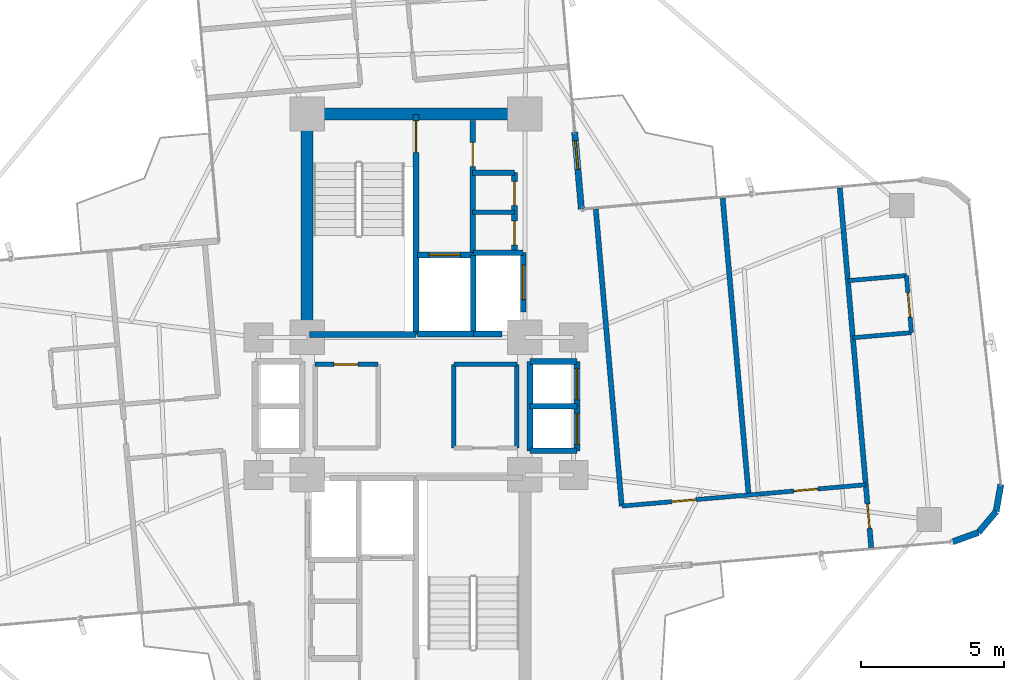
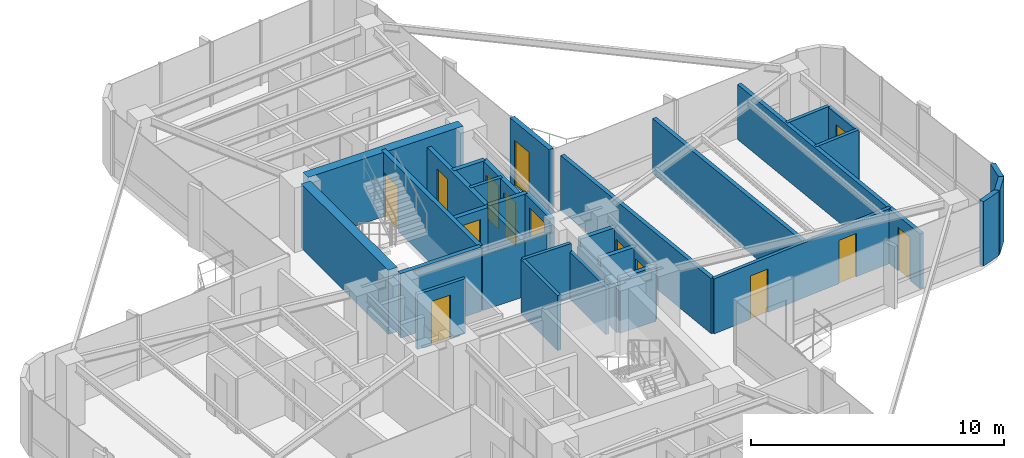
# One storey, part 22 of 24: 35 walls, 14 doors, 14 openings.
"""IFC4 building model written with IfcOpenShell, lengths in metres."""

from ifc_helpers import new_model, si_unit, direction, frame, frame_2d, origin, origin_2d, place, context, subcontext, project, spatial, rectangle, extrude, source, transform, mapped, material, layer, layer_set, type_object, element, fill, save


model = new_model("IFC4")

# Units and contexts
model_context = context("Model", 3, precision=1e-05, world=origin(), true_north=direction((0.0, 1.0)))
body_context = subcontext(model_context, "Body", "Model", "MODEL_VIEW")
ifc_project = project(units=[si_unit("LENGTHUNIT", "METRE"), si_unit("AREAUNIT", "SQUARE_METRE"), si_unit("VOLUMEUNIT", "CUBIC_METRE"), si_unit("PLANEANGLEUNIT", "RADIAN"), si_unit("MASSUNIT", "GRAM", prefix="KILO")], contexts=[model_context])

# Site, building, storey
site_placement = place(None, origin())
site = spatial("IfcSite", under=ifc_project, at=site_placement, CompositionType="ELEMENT")
building_placement = place(site_placement, origin())
building = spatial("IfcBuilding", under=site, at=building_placement, Name="Sahyath Konkavel Grand Hotel", CompositionType="ELEMENT")
storey_placement = place(building_placement, frame((0.0, 0.0, 181.89990234375)))
storey = spatial("IfcBuildingStorey", under=building, at=storey_placement, Name="L50", CompositionType="ELEMENT", Elevation=181.89990234375)

# Walls
ifc_material_1 = material(Name="Concrete C50/60", Category="concrete")
ifc_layer_1 = layer(ifc_material_1, 0.419921875)
ifc_layer_set_1 = layer_set([ifc_layer_1], Name="Concrete C50/60")
wall_type_1 = type_object("IfcWallType", Name="CWALL-420", PredefinedType="SHEAR", material=ifc_layer_set_1)
wall_1_placement = place(storey_placement, frame((-3.550048828125, 10.199951171875, 0.0), z_axis=(0.0, 0.0, 1.0), x_axis=(1.0, 0.0, 0.0)))
element("IfcWall", 1, at=wall_1_placement, inside=storey, type_object=wall_type_1, Name="L50 North Core Shear Wall N", PredefinedType="SHEAR", context=body_context, shape_type="SweptSolid", body=[
    extrude(rectangle(XDim=7.10009765625, YDim=0.419921875, at=frame_2d((3.550048828125, 0.0))), origin(), (0.0, 0.0, 1.0), 3.110107421875),
])
wall_2_placement = place(storey_placement, frame((-3.800048828125, 2.85009765625, 0.0), z_axis=(0.0, 0.0, 1.0), x_axis=(0.0, 1.0, 0.0)))
element("IfcWall", 2, at=wall_2_placement, inside=storey, type_object=wall_type_1, Name="L50 North Core Shear Wall W", PredefinedType="SHEAR", context=body_context, shape_type="SweptSolid", body=[
    extrude(rectangle(XDim=6.89990234375, YDim=0.419921875, at=frame_2d((3.449951171875, 0.0))), origin(), (0.0, 0.0, 1.0), 3.110107421875),
])
ifc_material_2 = material(Name="Warm Buff Sandstone Insulated Concrete C40/50", Category="masonry")
ifc_layer_2 = layer(ifc_material_2, 0.219970703125)
ifc_layer_set_2 = layer_set([ifc_layer_2], Name="Warm Buff Sandstone Insulated Concrete C40/50")
wall_type_2 = type_object("IfcWallType", Name="WLL-BALC-THRESH", PredefinedType="STANDARD", material=ifc_layer_set_2)
wall_3_placement = place(storey_placement, frame((18.73388671875, -4.735107421875, 0.0), z_axis=(0.0, 0.0, 1.0), x_axis=(0.939741306239, 0.34188635151, 0.0)))
element("IfcWall", 3, at=wall_3_placement, inside=storey, type_object=wall_type_2, Name="L50 Rounded Corner Sandstone Pier 1", PredefinedType="STANDARD", context=body_context, shape_type="SweptSolid", body=[
    extrude(rectangle(XDim=0.95751953125, YDim=0.219970703125, at=frame_2d((0.478759765625, 0.0))), origin(), (0.0, 0.0, 1.0), 3.110107421875),
])
for number, where, z_axis, x_axis, name in (
    (4, (19.6337890625, -4.40771484375, 0.0), (0.0, 0.0, 1.0), (0.642863236823, 0.765980978054, 0.0), "L50 Rounded Corner Sandstone Pier 2"),
    (5, (20.24951171875, -3.674072265625, 0.0), (0.0, 0.0, 1.0), (0.173610811841, 0.984814340885, 0.0), "L50 Rounded Corner Sandstone Pier 3"),
):
    element("IfcWall", number, at=place(storey_placement, frame(where, z_axis=z_axis, x_axis=x_axis)), inside=storey, type_object=wall_type_2, Name=name, PredefinedType="STANDARD", context=body_context, shape_type="SweptSolid", body=[
        extrude(rectangle(XDim=0.957763671875, YDim=0.219970703125, at=frame_2d((0.47900390625, 0.0))), origin(), (0.0, 0.0, 1.0), 3.110107421875),
    ])

# Wall, opening, door
wall_4_placement = place(storey_placement, frame((5.7724609375, 6.87939453125, 0.0), z_axis=(0.0, 0.0, 1.0), x_axis=(-0.087168071984, 0.996193619346, 0.0)))
wall_4 = element("IfcWall", 6, at=wall_4_placement, inside=storey, type_object=wall_type_2, Name="L50 Winter-Garden Threshold Wall 8", PredefinedType="STANDARD", context=body_context, shape_type="SweptSolid", body=[
    extrude(rectangle(XDim=2.699951171875, YDim=0.219970703125, at=frame_2d((1.35009765625, 0.0))), origin(), (0.0, 0.0, 1.0), 3.110107421875),
])
opening_1_placement = place(wall_4_placement, frame((1.39990234375, 0.0, 0.0)))
opening_1 = element("IfcOpeningElement", 7, at=opening_1_placement, cuts=wall_4, Name="Opening D-TR1", PredefinedType="OPENING", context=body_context, shape_type="SweptSolid", body=[
    extrude(rectangle(XDim=1.0, YDim=2.199951171875, at=frame_2d((0.5, 1.10009765625))), frame((0.0, 0.1201171875, 0.0), z_axis=(0.0, -1.0, 0.0), x_axis=(1.0, 0.0, 0.0)), (0.0, 0.0, 1.0), 0.239990234375),
])
ifc_material_3 = material(Name="Anodised Bronze Aluminium & Low-E Glazing", Category="aluminium")
door_type_1 = type_object("IfcDoorType", Name="DR-TERRACE-1000", OperationType="NOTDEFINED", PredefinedType="DOOR", material=ifc_material_3)
shared_shape_1 = source(origin(), body_context, "Body", "SweptSolid", [
    extrude(rectangle(XDim=1.0, YDim=0.050048828125, at=origin_2d()), origin(), (0.0, 0.0, 1.0), 2.199951171875),
])
door_1_placement = place(opening_1_placement, frame((0.5, 0.0, 0.0)))
door_1 = element("IfcDoor", 8, at=door_1_placement, inside=storey, type_object=door_type_1, Name="L50 Winter-Garden Terrace Door 8", OperationType="SINGLE_SWING_LEFT", OverallHeight=2.199951171875, OverallWidth=1.0, PredefinedType="DOOR", context=body_context, shape_type="MappedRepresentation", body=[
    mapped(shared_shape_1, transform((0.0, 0.0, 0.0), scale=1.0)),
])
fill(opening_1, door_1)

ifc_material_4 = material(Name="Concrete C40/50", Category="concrete")
ifc_layer_3 = layer(ifc_material_4, 0.199951171875)
ifc_layer_set_3 = layer_set([ifc_layer_3], Name="Concrete C40/50")
wall_type_3 = type_object("IfcWallType", Name="WLL-CORE-200", PredefinedType="SOLIDWALL", material=ifc_layer_set_3)
wall_5_placement = place(storey_placement, frame((0.0, 2.5, 0.0), z_axis=(0.0, 0.0, 1.0), x_axis=(0.0, 1.0, 0.0)))
wall_5 = element("IfcWall", 9, at=wall_5_placement, inside=storey, type_object=wall_type_3, Name="L50 Stair ST-1 Shaft Wall E", PredefinedType="SOLIDWALL", context=body_context, shape_type="SweptSolid", body=[
    extrude(rectangle(XDim=7.679931640625, YDim=0.199951171875, at=frame_2d((3.83984375, 0.0))), origin(), (0.0, 0.0, 1.0), 3.110107421875),
])
opening_2_placement = place(wall_5_placement, frame((6.360107421875, 0.0, 0.0)))
opening_2 = element("IfcOpeningElement", 10, at=opening_2_placement, cuts=wall_5, Name="Opening D-F12B", PredefinedType="OPENING", context=body_context, shape_type="SweptSolid", body=[
    extrude(rectangle(XDim=1.10009765625, YDim=2.14990234375, at=frame_2d((0.550048828125, 1.074951171875))), frame((0.0, 0.10986328125, 0.0), z_axis=(0.0, -1.0, 0.0), x_axis=(1.0, 0.0, 0.0)), (0.0, 0.0, 1.0), 0.219970703125),
])
ifc_material_5 = material(Name="Steel E350 Smokeproof Fire Door", Category="steel")
door_type_2 = type_object("IfcDoorType", Name="DR-FD120-1100", OperationType="NOTDEFINED", PredefinedType="DOOR", material=ifc_material_5)
shared_shape_2 = source(origin(), body_context, "Body", "SweptSolid", [
    extrude(rectangle(XDim=1.10009765625, YDim=0.050048828125, at=origin_2d()), origin(), (0.0, 0.0, 1.0), 2.14990234375),
])
door_2_placement = place(opening_2_placement, frame((0.550048828125, 0.0, 0.0)))
door_2 = element("IfcDoor", 11, at=door_2_placement, inside=storey, type_object=door_type_2, Name="L50 Stair ST-1 Fire Door", OperationType="SINGLE_SWING_RIGHT", OverallHeight=2.14990234375, OverallWidth=1.10009765625, PredefinedType="DOOR", context=body_context, shape_type="MappedRepresentation", body=[
    mapped(shared_shape_2, transform((0.0, 0.0, 0.0), scale=1.0)),
])
fill(opening_2, door_2)

# Wall
wall_6_placement = place(storey_placement, frame((-3.719970703125, 2.5, 0.0), z_axis=(0.0, 0.0, 1.0), x_axis=(1.0, 0.0, 0.0)))
element("IfcWall", 12, at=wall_6_placement, inside=storey, type_object=wall_type_3, Name="L50 Stair ST-1 Shaft Wall S", PredefinedType="SOLIDWALL", context=body_context, shape_type="SweptSolid", body=[
    extrude(rectangle(XDim=3.719970703125, YDim=0.199951171875, at=frame_2d((1.85986328125, 0.0))), origin(), (0.0, 0.0, 1.0), 3.110107421875),
])

# Wall, opening, door
wall_7_placement = place(storey_placement, frame((1.97998046875, 5.320068359375, 0.0), z_axis=(0.0, 0.0, 1.0), x_axis=(0.0, 1.0, 0.0)))
wall_7 = element("IfcWall", 13, at=wall_7_placement, inside=storey, type_object=wall_type_3, Name="L50 North Firefighting Lobby Wall E", PredefinedType="SOLIDWALL", context=body_context, shape_type="SweptSolid", body=[
    extrude(rectangle(XDim=4.659912109375, YDim=0.199951171875, at=frame_2d((2.330078125, 0.0))), origin(), (0.0, 0.0, 1.0), 2.66015625),
])
opening_3_placement = place(wall_7_placement, frame((3.0400390625, 0.0, 0.0)))
opening_3 = element("IfcOpeningElement", 14, at=opening_3_placement, cuts=wall_7, Name="Opening D-F12D", PredefinedType="OPENING", context=body_context, shape_type="SweptSolid", body=[
    extrude(rectangle(XDim=0.85009765625, YDim=2.10009765625, at=frame_2d((0.425048828125, 1.050048828125))), frame((0.0, 0.10986328125, 0.0), z_axis=(0.0, -1.0, 0.0), x_axis=(1.0, 0.0, 0.0)), (0.0, 0.0, 1.0), 0.219970703125),
])
ifc_material_6 = material(Name="Steel E350 Core Fire Door", Category="steel")
door_type_3 = type_object("IfcDoorType", Name="DR-FD120-850", OperationType="NOTDEFINED", PredefinedType="DOOR", material=ifc_material_6)
shared_shape_3 = source(origin(), body_context, "Body", "SweptSolid", [
    extrude(rectangle(XDim=0.85009765625, YDim=0.050048828125, at=origin_2d()), origin(), (0.0, 0.0, 1.0), 2.10009765625),
])
door_3_placement = place(opening_3_placement, frame((0.425048828125, 0.0, 0.0)))
door_3 = element("IfcDoor", 15, at=door_3_placement, inside=storey, type_object=door_type_3, Name="L50 North Firefighting Lobby Door", OperationType="SINGLE_SWING_RIGHT", OverallHeight=2.10009765625, OverallWidth=0.85009765625, PredefinedType="DOOR", context=body_context, shape_type="MappedRepresentation", body=[
    mapped(shared_shape_3, transform((0.0, 0.0, 0.0), scale=1.0)),
])
fill(opening_3, door_3)

# Walls
wall_8_placement = place(storey_placement, frame((2.0, 2.5, 0.0), z_axis=(0.0, 0.0, 1.0), x_axis=(0.0, 1.0, 0.0)))
element("IfcWall", 16, at=wall_8_placement, inside=storey, type_object=wall_type_3, Name="L50 Partition SH-FFL1-E", PredefinedType="SOLIDWALL", context=body_context, shape_type="SweptSolid", body=[
    extrude(rectangle(XDim=2.780029296875, YDim=0.199951171875, at=frame_2d((1.39013671875, 0.0))), origin(), (0.0, 0.0, 1.0), 2.66015625),
])
wall_9_placement = place(storey_placement, frame((0.050048828125, 2.52001953125, 0.0), z_axis=(0.0, 0.0, 1.0), x_axis=(1.0, 0.0, 0.0)))
element("IfcWall", 17, at=wall_9_placement, inside=storey, type_object=wall_type_3, Name="L50 Partition SH-FFL1-S", PredefinedType="SOLIDWALL", context=body_context, shape_type="SweptSolid", body=[
    extrude(rectangle(XDim=1.949951171875, YDim=0.199951171875, at=frame_2d((0.97509765625, 0.0))), origin(), (0.0, 0.0, 1.0), 2.66015625),
])

# Wall, opening, door
wall_10_placement = place(storey_placement, frame((0.050048828125, 5.280029296875, 0.0), z_axis=(0.0, 0.0, 1.0), x_axis=(1.0, 0.0, 0.0)))
wall_10 = element("IfcWall", 18, at=wall_10_placement, inside=storey, type_object=wall_type_3, Name="L50 Partition SH-FFL1-N", PredefinedType="SOLIDWALL", context=body_context, shape_type="SweptSolid", body=[
    extrude(rectangle(XDim=1.929931640625, YDim=0.199951171875, at=frame_2d((0.96484375, 0.0))), origin(), (0.0, 0.0, 1.0), 2.66015625),
])
opening_4_placement = place(wall_10_placement, frame((0.39990234375, 0.0, 0.0)))
opening_4 = element("IfcOpeningElement", 19, at=opening_4_placement, cuts=wall_10, Name="Opening LD-11", PredefinedType="OPENING", context=body_context, shape_type="SweptSolid", body=[
    extrude(rectangle(XDim=1.10009765625, YDim=2.199951171875, at=frame_2d((0.550048828125, 1.10009765625))), frame((0.0, 0.10986328125, 0.0), z_axis=(0.0, -1.0, 0.0), x_axis=(1.0, 0.0, 0.0)), (0.0, 0.0, 1.0), 0.219970703125),
])
ifc_material_7 = material(Name="Bronze Lift Landing Door 1100")
door_type_4 = type_object("IfcDoorType", Name="DR-LIFT-1100", OperationType="DOUBLE_DOOR_SLIDING", PredefinedType="DOOR", material=ifc_material_7)
shared_shape_4 = source(origin(), body_context, "Body", "SweptSolid", [
    extrude(rectangle(XDim=1.10009765625, YDim=0.050048828125, at=origin_2d()), origin(), (0.0, 0.0, 1.0), 2.199951171875),
])
door_4_placement = place(opening_4_placement, frame((0.550048828125, 0.0, 0.0)))
door_4 = element("IfcDoor", 20, at=door_4_placement, inside=storey, type_object=door_type_4, Name="L50 Lift FFL-1 Landing Door", OperationType="DOUBLE_DOOR_SLIDING", OverallHeight=2.199951171875, OverallWidth=1.10009765625, PredefinedType="DOOR", context=body_context, shape_type="MappedRepresentation", body=[
    mapped(shared_shape_4, transform((0.0, 0.0, 0.0), scale=1.0)),
])
fill(opening_4, door_4)

# Walls
wall_11_placement = place(storey_placement, frame((2.0, 2.52001953125, 0.0), z_axis=(0.0, 0.0, 1.0), x_axis=(1.0, 0.0, 0.0)))
element("IfcWall", 21, at=wall_11_placement, inside=storey, type_object=wall_type_3, Name="L50 Partition SH-SVL1-S", PredefinedType="SOLIDWALL", context=body_context, shape_type="SweptSolid", body=[
    extrude(rectangle(XDim=1.0, YDim=0.199951171875, at=frame_2d((0.5, 0.0))), origin(), (0.0, 0.0, 1.0), 2.66015625),
])
wall_12_placement = place(storey_placement, frame((2.0, 5.360107421875, 0.0), z_axis=(0.0, 0.0, 1.0), x_axis=(1.0, 0.0, 0.0)))
element("IfcWall", 22, at=wall_12_placement, inside=storey, type_object=wall_type_3, Name="L50 Partition SH-SVL1-N", PredefinedType="SOLIDWALL", context=body_context, shape_type="SweptSolid", body=[
    extrude(rectangle(XDim=1.739990234375, YDim=0.199951171875, at=frame_2d((0.8701171875, 0.0))), origin(), (0.0, 0.0, 1.0), 2.66015625),
])

# Wall, opening, door
wall_13_placement = place(storey_placement, frame((3.739990234375, 3.280029296875, 0.0), z_axis=(0.0, 0.0, 1.0), x_axis=(0.0, 1.0, 0.0)))
wall_13 = element("IfcWall", 23, at=wall_13_placement, inside=storey, type_object=wall_type_3, Name="L50 Partition SH-SVL1-E", PredefinedType="SOLIDWALL", context=body_context, shape_type="SweptSolid", body=[
    extrude(rectangle(XDim=2.080078125, YDim=0.199951171875, at=frame_2d((1.0400390625, 0.0))), origin(), (0.0, 0.0, 1.0), 2.66015625),
])
opening_5_placement = place(wall_13_placement, frame((0.43994140625, 0.0, 0.0)))
opening_5 = element("IfcOpeningElement", 24, at=opening_5_placement, cuts=wall_13, Name="Opening LD-12", PredefinedType="OPENING", context=body_context, shape_type="SweptSolid", body=[
    extrude(rectangle(XDim=1.199951171875, YDim=2.199951171875, at=frame_2d((0.60009765625, 1.10009765625))), frame((0.0, 0.10986328125, 0.0), z_axis=(0.0, -1.0, 0.0), x_axis=(1.0, 0.0, 0.0)), (0.0, 0.0, 1.0), 0.219970703125),
])
ifc_material_8 = material(Name="Stainless Steel Lift Landing Door 1200", Category="steel")
door_type_5 = type_object("IfcDoorType", Name="DR-LIFT-1200", OperationType="DOUBLE_DOOR_SLIDING", PredefinedType="DOOR", material=ifc_material_8)
shared_shape_5 = source(origin(), body_context, "Body", "SweptSolid", [
    extrude(rectangle(XDim=1.199951171875, YDim=0.050048828125, at=origin_2d()), origin(), (0.0, 0.0, 1.0), 2.199951171875),
])
door_5_placement = place(opening_5_placement, frame((0.60009765625, 0.0, 0.0)))
door_5 = element("IfcDoor", 25, at=door_5_placement, inside=storey, type_object=door_type_5, Name="L50 Service Lift SVL-1 Landing Door", OperationType="DOUBLE_DOOR_SLIDING", OverallHeight=2.199951171875, OverallWidth=1.199951171875, PredefinedType="DOOR", context=body_context, shape_type="MappedRepresentation", body=[
    mapped(shared_shape_5, transform((0.0, 0.0, 0.0), scale=1.0)),
])
fill(opening_5, door_5)

# Walls
wall_14_placement = place(storey_placement, frame((3.97998046875, -1.56005859375, 0.0), z_axis=(0.0, 0.0, 1.0), x_axis=(0.0, 1.0, 0.0)))
element("IfcWall", 26, at=wall_14_placement, inside=storey, type_object=wall_type_3, Name="L50 Partition SH-PL56-W", PredefinedType="SOLIDWALL", context=body_context, shape_type="SweptSolid", body=[
    extrude(rectangle(XDim=3.1201171875, YDim=0.199951171875, at=frame_2d((1.56005859375, 0.0))), origin(), (0.0, 0.0, 1.0), 2.280029296875),
])
for number, where, z_axis, x_axis, name in (
    (27, (3.97998046875, 1.56005859375, 0.0), (0.0, 0.0, 1.0), (1.0, 0.0, 0.0), "L50 Partition SH-PL56-N"),
    (28, (3.97998046875, -1.56005859375, 0.0), (0.0, 0.0, 1.0), (1.0, 0.0, 0.0), "L50 Partition SH-PL56-S"),
    (29, (3.97998046875, 0.0, 0.0), (0.0, 0.0, 1.0), (1.0, 0.0, 0.0), "L50 Partition SH-PL56-M"),
):
    element("IfcWall", number, at=place(storey_placement, frame(where, z_axis=z_axis, x_axis=x_axis)), inside=storey, type_object=wall_type_3, Name=name, PredefinedType="SOLIDWALL", context=body_context, shape_type="SweptSolid", body=[
        extrude(rectangle(XDim=1.64013671875, YDim=0.199951171875, at=frame_2d((0.820068359375, 0.0))), origin(), (0.0, 0.0, 1.0), 2.66015625),
    ])

# Wall, opening, door
wall_15_placement = place(storey_placement, frame((5.6201171875, 0.0, 0.0), z_axis=(0.0, 0.0, 1.0), x_axis=(0.0, 1.0, 0.0)))
wall_15 = element("IfcWall", 30, at=wall_15_placement, inside=storey, type_object=wall_type_3, Name="L50 Partition SH-PL5-E", PredefinedType="SOLIDWALL", context=body_context, shape_type="SweptSolid", body=[
    extrude(rectangle(XDim=1.56005859375, YDim=0.199951171875, at=frame_2d((0.780029296875, 0.0))), origin(), (0.0, 0.0, 1.0), 2.66015625),
])
opening_6_placement = place(wall_15_placement, frame((0.219970703125, 0.0, 0.0)))
opening_6 = element("IfcOpeningElement", 31, at=opening_6_placement, cuts=wall_15, Name="Opening LD-11", PredefinedType="OPENING", context=body_context, shape_type="SweptSolid", body=[
    extrude(rectangle(XDim=1.10009765625, YDim=2.199951171875, at=frame_2d((0.550048828125, 1.10009765625))), frame((0.0, 0.10986328125, 0.0), z_axis=(0.0, -1.0, 0.0), x_axis=(1.0, 0.0, 0.0)), (0.0, 0.0, 1.0), 0.219970703125),
])
door_6_placement = place(opening_6_placement, frame((0.550048828125, 0.0, 0.0)))
door_6 = element("IfcDoor", 32, at=door_6_placement, inside=storey, type_object=door_type_4, Name="L50 High-Rise Lift PL-5 Landing Door", OperationType="DOUBLE_DOOR_SLIDING", OverallHeight=2.199951171875, OverallWidth=1.10009765625, PredefinedType="DOOR", context=body_context, shape_type="MappedRepresentation", body=[
    mapped(shared_shape_4, transform((0.0, 0.0, 0.0), scale=1.0)),
])
fill(opening_6, door_6)

wall_16_placement = place(storey_placement, frame((5.6201171875, -1.56005859375, 0.0), z_axis=(0.0, 0.0, 1.0), x_axis=(0.0, 1.0, 0.0)))
wall_16 = element("IfcWall", 33, at=wall_16_placement, inside=storey, type_object=wall_type_3, Name="L50 Partition SH-PL6-E", PredefinedType="SOLIDWALL", context=body_context, shape_type="SweptSolid", body=[
    extrude(rectangle(XDim=1.56005859375, YDim=0.199951171875, at=frame_2d((0.780029296875, 0.0))), origin(), (0.0, 0.0, 1.0), 2.66015625),
])
opening_7_placement = place(wall_16_placement, frame((0.219970703125, 0.0, 0.0)))
opening_7 = element("IfcOpeningElement", 34, at=opening_7_placement, cuts=wall_16, Name="Opening LD-11", PredefinedType="OPENING", context=body_context, shape_type="SweptSolid", body=[
    extrude(rectangle(XDim=1.10009765625, YDim=2.199951171875, at=frame_2d((0.550048828125, 1.10009765625))), frame((0.0, 0.10986328125, 0.0), z_axis=(0.0, -1.0, 0.0), x_axis=(1.0, 0.0, 0.0)), (0.0, 0.0, 1.0), 0.219970703125),
])
door_7_placement = place(opening_7_placement, frame((0.550048828125, 0.0, 0.0)))
door_7 = element("IfcDoor", 35, at=door_7_placement, inside=storey, type_object=door_type_4, Name="L50 High-Rise Lift PL-6 Landing Door", OperationType="DOUBLE_DOOR_SLIDING", OverallHeight=2.199951171875, OverallWidth=1.10009765625, PredefinedType="DOOR", context=body_context, shape_type="MappedRepresentation", body=[
    mapped(shared_shape_4, transform((0.0, 0.0, 0.0), scale=1.0)),
])
fill(opening_7, door_7)

# Wall, openings, doors
wall_17_placement = place(storey_placement, frame((3.43994140625, 5.3798828125, 0.0), z_axis=(0.0, 0.0, 1.0), x_axis=(0.0, 1.0, 0.0)))
wall_17 = element("IfcWall", 36, at=wall_17_placement, inside=storey, type_object=wall_type_3, Name="L50 Reclaimed North Core Wall E", PredefinedType="SOLIDWALL", context=body_context, shape_type="SweptSolid", body=[
    extrude(rectangle(XDim=2.77001953125, YDim=0.199951171875, at=frame_2d((1.385009765625, 0.0))), origin(), (0.0, 0.0, 1.0), 2.66015625),
])
opening_8_placement = place(wall_17_placement, frame((0.239990234375, 0.0, 0.0)))
opening_8 = element("IfcOpeningElement", 37, at=opening_8_placement, cuts=wall_17, Name="Opening D-F06D", PredefinedType="OPENING", context=body_context, shape_type="SweptSolid", body=[
    extrude(rectangle(XDim=0.85009765625, YDim=2.10009765625, at=frame_2d((0.425048828125, 1.050048828125))), frame((0.0, 0.10986328125, 0.0), z_axis=(0.0, -1.0, 0.0), x_axis=(1.0, 0.0, 0.0)), (0.0, 0.0, 1.0), 0.219970703125),
])
opening_9_placement = place(wall_17_placement, frame((1.6201171875, 0.0, 0.0)))
opening_9 = element("IfcOpeningElement", 38, at=opening_9_placement, cuts=wall_17, Name="Opening D-F06D", PredefinedType="OPENING", context=body_context, shape_type="SweptSolid", body=[
    extrude(rectangle(XDim=0.85009765625, YDim=2.10009765625, at=frame_2d((0.425048828125, 1.050048828125))), frame((0.0, 0.10986328125, 0.0), z_axis=(0.0, -1.0, 0.0), x_axis=(1.0, 0.0, 0.0)), (0.0, 0.0, 1.0), 0.219970703125),
])
ifc_material_9 = material(Name="Fire-Rated Shaft Access Door")
door_type_6 = type_object("IfcDoorType", Name="DR-FD60-850", OperationType="NOTDEFINED", PredefinedType="DOOR", material=ifc_material_9)
door_8_placement = place(opening_8_placement, frame((0.425048828125, 0.0, 0.0)))
door_8 = element("IfcDoor", 39, at=door_8_placement, inside=storey, type_object=door_type_6, Name="L50 Door NC-REC1-D", OperationType="SINGLE_SWING_RIGHT", OverallHeight=2.10009765625, OverallWidth=0.85009765625, PredefinedType="DOOR", context=body_context, shape_type="MappedRepresentation", body=[
    mapped(shared_shape_3, transform((0.0, 0.0, 0.0), scale=1.0)),
])
fill(opening_8, door_8)
door_9_placement = place(opening_9_placement, frame((0.425048828125, 0.0, 0.0)))
door_9 = element("IfcDoor", 40, at=door_9_placement, inside=storey, type_object=door_type_6, Name="L50 Door NC-REC2-D", OperationType="SINGLE_SWING_LEFT", OverallHeight=2.10009765625, OverallWidth=0.85009765625, PredefinedType="DOOR", context=body_context, shape_type="MappedRepresentation", body=[
    mapped(shared_shape_3, transform((0.0, 0.0, 0.0), scale=1.0)),
])
fill(opening_9, door_9)

# Walls
wall_18_placement = place(storey_placement, frame((1.97998046875, 8.14990234375, 0.0), z_axis=(0.0, 0.0, 1.0), x_axis=(1.0, 0.0, 0.0)))
element("IfcWall", 41, at=wall_18_placement, inside=storey, type_object=wall_type_3, Name="L50 Partition NC-REC-N", PredefinedType="SOLIDWALL", context=body_context, shape_type="SweptSolid", body=[
    extrude(rectangle(XDim=1.4599609375, YDim=0.199951171875, at=frame_2d((0.72998046875, 0.0))), origin(), (0.0, 0.0, 1.0), 2.66015625),
])
ifc_material_10 = material(Name="Twin-Stud Acoustic Gypsum Plasterboard Partition")
ifc_layer_4 = layer(ifc_material_10, 0.179931640625)
ifc_layer_set_4 = layer_set([ifc_layer_4], Name="Twin-Stud Acoustic Gypsum Plasterboard Partition")
wall_type_4 = type_object("IfcWallType", Name="WLL-DEMISE-180", PredefinedType="PARTITIONING", material=ifc_layer_set_4)
for number, where, z_axis, x_axis, name in (
    (42, (7.181396484375, -3.4873046875, 0.0), (0.0, 0.0, 1.0), (-0.087163455754, 0.996194023261, 0.0), "L50 Partition E-G6I"),
    (43, (11.6103515625, -3.099853515625, 0.0), (0.0, 0.0, 1.0), (-0.087163455754, 0.996194023261, 0.0), "L50 Partition E-ESL6-DEM"),
):
    element("IfcWall", number, at=place(storey_placement, frame(where, z_axis=z_axis, x_axis=x_axis)), inside=storey, type_object=wall_type_4, Name=name, PredefinedType="PARTITIONING", context=body_context, shape_type="SweptSolid", body=[
        extrude(rectangle(XDim=10.39990234375, YDim=0.179931640625, at=frame_2d((5.199951171875, 0.0))), origin(), (0.0, 0.0, 1.0), 2.66015625),
    ])

# Wall, opening, door
wall_19_placement = place(storey_placement, frame((15.890380859375, -4.933837890625, 0.0), z_axis=(0.0, 0.0, 1.0), x_axis=(-0.087154691724, 0.996194790044, 0.0)))
wall_19 = element("IfcWall", 44, at=wall_19_placement, inside=storey, type_object=wall_type_4, Name="L50 Partition E-ETIP-END", PredefinedType="PARTITIONING", context=body_context, shape_type="SweptSolid", body=[
    extrude(rectangle(XDim=12.599853515625, YDim=0.179931640625, at=frame_2d((6.2998046875, 0.0))), origin(), (0.0, 0.0, 1.0), 2.66015625),
])
opening_10_placement = place(wall_19_placement, frame((0.675048828125, 0.0, 0.0)))
opening_10 = element("IfcOpeningElement", 45, at=opening_10_placement, cuts=wall_19, Name="Opening D-F06D", PredefinedType="OPENING", context=body_context, shape_type="SweptSolid", body=[
    extrude(rectangle(XDim=0.85009765625, YDim=2.10009765625, at=frame_2d((0.425048828125, 1.050048828125))), frame((0.0, 0.10009765625, 0.0), z_axis=(0.0, -1.0, 0.0), x_axis=(1.0, 0.0, 0.0)), (0.0, 0.0, 1.0), 0.199951171875),
])
door_10_placement = place(opening_10_placement, frame((0.425048828125, 0.0, 0.0)))
door_10 = element("IfcDoor", 46, at=door_10_placement, inside=storey, type_object=door_type_6, Name="L50 Door E-ETIP-ED", OperationType="SINGLE_SWING_LEFT", OverallHeight=2.10009765625, OverallWidth=0.85009765625, PredefinedType="DOOR", context=body_context, shape_type="MappedRepresentation", body=[
    mapped(shared_shape_3, transform((0.0, 0.0, 0.0), scale=1.0)),
])
fill(opening_10, door_10)

# Wall
ifc_material_11 = material(Name="Fire-Rated Gypsum Plasterboard Partition")
ifc_layer_5 = layer(ifc_material_11, 0.14990234375)
ifc_layer_set_5 = layer_set([ifc_layer_5], Name="Fire-Rated Gypsum Plasterboard Partition")
wall_type_5 = type_object("IfcWallType", Name="WLL-PART-150", PredefinedType="PARTITIONING", material=ifc_layer_set_5)
wall_20_placement = place(storey_placement, frame((1.97998046875, 6.77001953125, 0.0), z_axis=(0.0, 0.0, 1.0), x_axis=(1.0, 0.0, 0.0)))
element("IfcWall", 47, at=wall_20_placement, inside=storey, type_object=wall_type_5, Name="L50 Partition NC-REC-M1", PredefinedType="PARTITIONING", context=body_context, shape_type="SweptSolid", body=[
    extrude(rectangle(XDim=1.4599609375, YDim=0.14990234375, at=frame_2d((0.72998046875, 0.0))), origin(), (0.0, 0.0, 1.0), 2.66015625),
])

# Wall, opening, door
wall_21_placement = place(storey_placement, frame((-3.52001953125, 1.4599609375, 0.0), z_axis=(0.0, 0.0, 1.0), x_axis=(1.0, 0.0, 0.0)))
wall_21 = element("IfcWall", 48, at=wall_21_placement, inside=storey, type_object=wall_type_5, Name="L50 Partition CC-1WN", PredefinedType="PARTITIONING", context=body_context, shape_type="SweptSolid", body=[
    extrude(rectangle(XDim=2.199951171875, YDim=0.14990234375, at=frame_2d((1.10009765625, 0.0))), origin(), (0.0, 0.0, 1.0), 2.66015625),
])
opening_11_placement = place(wall_21_placement, frame((0.64990234375, 0.0, 0.0)))
opening_11 = element("IfcOpeningElement", 49, at=opening_11_placement, cuts=wall_21, Name="Opening D-F06D", PredefinedType="OPENING", context=body_context, shape_type="SweptSolid", body=[
    extrude(rectangle(XDim=0.85009765625, YDim=2.10009765625, at=frame_2d((0.425048828125, 1.050048828125))), frame((0.0, 0.0849609375, 0.0), z_axis=(0.0, -1.0, 0.0), x_axis=(1.0, 0.0, 0.0)), (0.0, 0.0, 1.0), 0.169921875),
])
door_11_placement = place(opening_11_placement, frame((0.425048828125, 0.0, 0.0)))
door_11 = element("IfcDoor", 50, at=door_11_placement, inside=storey, type_object=door_type_6, Name="L50 Door CC-D1W", OperationType="SINGLE_SWING_RIGHT", OverallHeight=2.10009765625, OverallWidth=0.85009765625, PredefinedType="DOOR", context=body_context, shape_type="MappedRepresentation", body=[
    mapped(shared_shape_3, transform((0.0, 0.0, 0.0), scale=1.0)),
])
fill(opening_11, door_11)

# Walls
wall_22_placement = place(storey_placement, frame((1.320068359375, -1.4599609375, 0.0), z_axis=(0.0, 0.0, 1.0), x_axis=(0.0, 1.0, 0.0)))
element("IfcWall", 51, at=wall_22_placement, inside=storey, type_object=wall_type_5, Name="L50 Partition CC-1EI", PredefinedType="PARTITIONING", context=body_context, shape_type="SweptSolid", body=[
    extrude(rectangle(XDim=2.919921875, YDim=0.14990234375, at=frame_2d((1.4599609375, 0.0))), origin(), (0.0, 0.0, 1.0), 2.66015625),
])
wall_23_placement = place(storey_placement, frame((3.52001953125, -1.4599609375, 0.0), z_axis=(0.0, 0.0, 1.0), x_axis=(0.0, 1.0, 0.0)))
element("IfcWall", 52, at=wall_23_placement, inside=storey, type_object=wall_type_5, Name="L50 Partition CC-1EO", PredefinedType="PARTITIONING", context=body_context, shape_type="SweptSolid", body=[
    extrude(rectangle(XDim=2.919921875, YDim=0.14990234375, at=frame_2d((1.4599609375, 0.0))), origin(), (0.0, 0.0, 1.0), 2.280029296875),
])
wall_24_placement = place(storey_placement, frame((1.320068359375, 1.4599609375, 0.0), z_axis=(0.0, 0.0, 1.0), x_axis=(1.0, 0.0, 0.0)))
element("IfcWall", 53, at=wall_24_placement, inside=storey, type_object=wall_type_5, Name="L50 Partition CC-1EN", PredefinedType="PARTITIONING", context=body_context, shape_type="SweptSolid", body=[
    extrude(rectangle(XDim=2.199951171875, YDim=0.14990234375, at=frame_2d((1.10009765625, 0.0))), origin(), (0.0, 0.0, 1.0), 2.66015625),
])

# Wall, openings, doors
wall_25_placement = place(storey_placement, frame((7.181396484375, -3.4873046875, 0.0), z_axis=(0.0, 0.0, 1.0), x_axis=(0.996195236082, 0.087149593273, 0.0)))
wall_25 = element("IfcWall", 54, at=wall_25_placement, inside=storey, type_object=wall_type_5, Name="L50 Partition E-G6W", PredefinedType="PARTITIONING", context=body_context, shape_type="SweptSolid", body=[
    extrude(rectangle(XDim=8.5498046875, YDim=0.14990234375, at=frame_2d((4.27490234375, 0.0))), origin(), (0.0, 0.0, 1.0), 2.66015625),
])
opening_12_placement = place(wall_25_placement, frame((1.748046875, 0.0, 0.0)))
opening_12 = element("IfcOpeningElement", 55, at=opening_12_placement, cuts=wall_25, Name="Opening D-F06D", PredefinedType="OPENING", context=body_context, shape_type="SweptSolid", body=[
    extrude(rectangle(XDim=0.85009765625, YDim=2.10009765625, at=frame_2d((0.425048828125, 1.050048828125))), frame((0.0, 0.0849609375, 0.0), z_axis=(0.0, -1.0, 0.0), x_axis=(1.0, 0.0, 0.0)), (0.0, 0.0, 1.0), 0.169921875),
])
opening_13_placement = place(wall_25_placement, frame((6.02294921875, 0.0, 0.0)))
opening_13 = element("IfcOpeningElement", 56, at=opening_13_placement, cuts=wall_25, Name="Opening D-F06D", PredefinedType="OPENING", context=body_context, shape_type="SweptSolid", body=[
    extrude(rectangle(XDim=0.85009765625, YDim=2.10009765625, at=frame_2d((0.425048828125, 1.050048828125))), frame((0.0, 0.0849609375, 0.0), z_axis=(0.0, -1.0, 0.0), x_axis=(1.0, 0.0, 0.0)), (0.0, 0.0, 1.0), 0.169921875),
])
door_12_placement = place(opening_12_placement, frame((0.425048828125, 0.0, 0.0)))
door_12 = element("IfcDoor", 57, at=door_12_placement, inside=storey, type_object=door_type_6, Name="L50 Door E-ESL6-D", OperationType="SINGLE_SWING_RIGHT", OverallHeight=2.10009765625, OverallWidth=0.85009765625, PredefinedType="DOOR", context=body_context, shape_type="MappedRepresentation", body=[
    mapped(shared_shape_3, transform((0.0, 0.0, 0.0), scale=1.0)),
])
fill(opening_12, door_12)
door_13_placement = place(opening_13_placement, frame((0.425048828125, 0.0, 0.0)))
door_13 = element("IfcDoor", 58, at=door_13_placement, inside=storey, type_object=door_type_6, Name="L50 Door E-ED6-D", OperationType="SINGLE_SWING_LEFT", OverallHeight=2.10009765625, OverallWidth=0.85009765625, PredefinedType="DOOR", context=body_context, shape_type="MappedRepresentation", body=[
    mapped(shared_shape_3, transform((0.0, 0.0, 0.0), scale=1.0)),
])
fill(opening_13, door_13)

# Walls
wall_26_placement = place(storey_placement, frame((15.07568359375, 4.380615234375, 0.0), z_axis=(0.0, 0.0, 1.0), x_axis=(0.99619307114, 0.087174336889, 0.0)))
element("IfcWall", 59, at=wall_26_placement, inside=storey, type_object=wall_type_5, Name="L50 Partition E-ETIP-BN", PredefinedType="PARTITIONING", context=body_context, shape_type="SweptSolid", body=[
    extrude(rectangle(XDim=2.050048828125, YDim=0.14990234375, at=frame_2d((1.02490234375, 0.0))), origin(), (0.0, 0.0, 1.0), 2.66015625),
])
wall_27_placement = place(storey_placement, frame((15.25, 2.38818359375, 0.0), z_axis=(0.0, 0.0, 1.0), x_axis=(0.996192165966, 0.087184680235, 0.0)))
element("IfcWall", 60, at=wall_27_placement, inside=storey, type_object=wall_type_5, Name="L50 Partition E-ETIP-BS", PredefinedType="PARTITIONING", context=body_context, shape_type="SweptSolid", body=[
    extrude(rectangle(XDim=2.0498046875, YDim=0.14990234375, at=frame_2d((1.02490234375, 0.0))), origin(), (0.0, 0.0, 1.0), 2.66015625),
])

# Wall, opening, door
wall_28_placement = place(storey_placement, frame((17.2919921875, 2.56689453125, 0.0), z_axis=(0.0, 0.0, 1.0), x_axis=(-0.087035208109, 0.996205236158, 0.0)))
wall_28 = element("IfcWall", 61, at=wall_28_placement, inside=storey, type_object=wall_type_5, Name="L50 Partition E-ETIP-BE", PredefinedType="PARTITIONING", context=body_context, shape_type="SweptSolid", body=[
    extrude(rectangle(XDim=2.0, YDim=0.14990234375, at=frame_2d((1.0, 0.0))), origin(), (0.0, 0.0, 1.0), 2.630126953125),
])
opening_14_placement = place(wall_28_placement, frame((0.550048828125, 0.0, 0.0)))
opening_14 = element("IfcOpeningElement", 62, at=opening_14_placement, cuts=wall_28, Name="Opening D-BT85", PredefinedType="OPENING", context=body_context, shape_type="SweptSolid", body=[
    extrude(rectangle(XDim=0.85009765625, YDim=2.10009765625, at=frame_2d((0.425048828125, 1.050048828125))), frame((0.0, 0.0849609375, 0.0), z_axis=(0.0, -1.0, 0.0), x_axis=(1.0, 0.0, 0.0)), (0.0, 0.0, 1.0), 0.169921875),
])
ifc_material_12 = material(Name="Moisture-Resistant Teak Bathroom Door")
door_type_7 = type_object("IfcDoorType", Name="DR-BATH-850", OperationType="NOTDEFINED", PredefinedType="DOOR", material=ifc_material_12)
door_14_placement = place(opening_14_placement, frame((0.425048828125, 0.0, 0.0)))
door_14 = element("IfcDoor", 63, at=door_14_placement, inside=storey, type_object=door_type_7, Name="L50 Door E-ETIP-BD", OperationType="SINGLE_SWING_RIGHT", OverallHeight=2.10009765625, OverallWidth=0.85009765625, PredefinedType="DOOR", context=body_context, shape_type="MappedRepresentation", body=[
    mapped(shared_shape_3, transform((0.0, 0.0, 0.0), scale=1.0)),
])
fill(opening_14, door_14)

save(model, "model.ifc")
